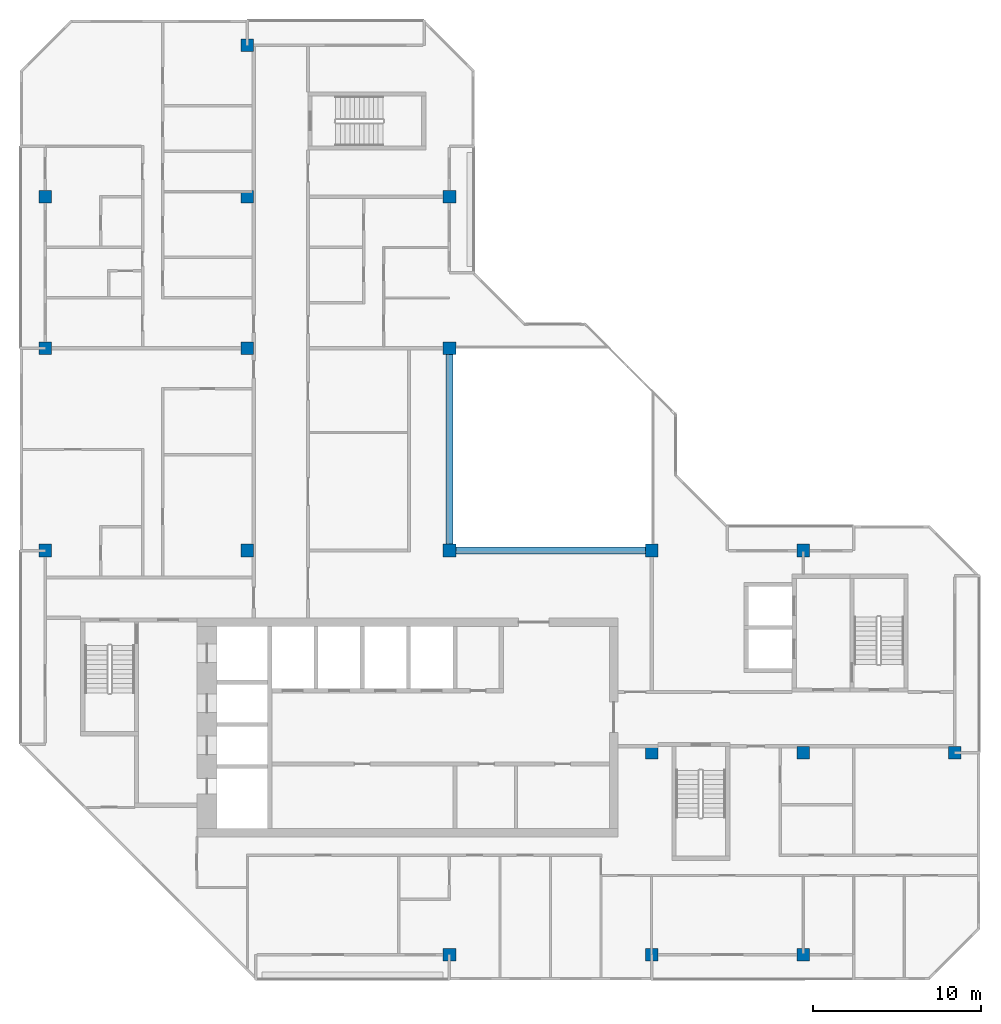
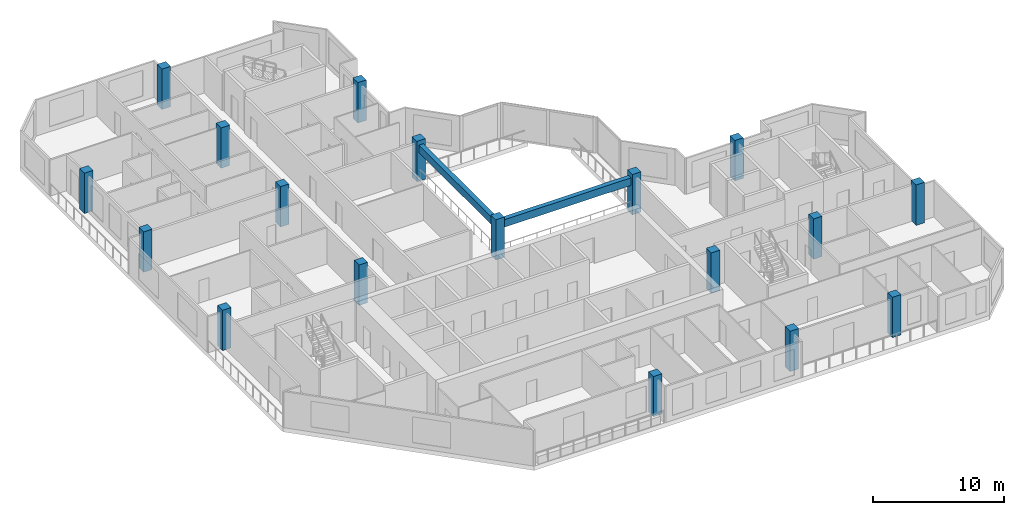
# One storey, part 1 of 12: 18 columns, 2 beams.
"""IFC4 building model written with IfcOpenShell, lengths in metres."""

from ifc_helpers import new_model, si_unit, direction, frame, origin, origin_2d, place, context, subcontext, project, spatial, rectangle, extrude, material, material_profile, profile_set, type_object, element, save


model = new_model("IFC4")

# Units and contexts
model_context = context("Model", 3, precision=1e-05, world=origin(), true_north=direction((0.0, 1.0)))
body_context = subcontext(model_context, "Body", "Model", "MODEL_VIEW")
ifc_project = project(units=[si_unit("LENGTHUNIT", "METRE"), si_unit("AREAUNIT", "SQUARE_METRE"), si_unit("VOLUMEUNIT", "CUBIC_METRE"), si_unit("PLANEANGLEUNIT", "RADIAN"), si_unit("MASSUNIT", "GRAM", prefix="KILO")], contexts=[model_context])

# Site, building, storey
site_placement = place(None, origin())
site = spatial("IfcSite", under=ifc_project, at=site_placement, CompositionType="ELEMENT")
building_placement = place(site_placement, origin())
building = spatial("IfcBuilding", under=site, at=building_placement, Name="Chenar Terraces", CompositionType="ELEMENT")
storey_placement = place(building_placement, frame((0.0, 0.0, 350.14990234375)))
storey = spatial("IfcBuildingStorey", under=building, at=storey_placement, Name="L81", CompositionType="ELEMENT", Elevation=350.14990234375)

# Columns
ifc_material_1 = material(Name="Concrete C50/60", Category="concrete")
ifc_material_profile_1 = material_profile(ifc_material_1, rectangle(XDim=0.75, YDim=0.75, at=origin_2d()), Name="C 750 x 750")
ifc_profile_set_1 = profile_set([ifc_material_profile_1], Name="Concrete C50/60")
column_type = type_object("IfcColumnType", Name="Column C 750 x 750 Concrete C50/60", PredefinedType="COLUMN", material=ifc_profile_set_1)
column_1_placement = place(storey_placement, frame((0.0, 24.0, 0.0), z_axis=(0.0, 0.0, 1.0), x_axis=(1.0, 0.0, 0.0)))
element("IfcColumn", 1, at=column_1_placement, inside=storey, type_object=column_type, Name="Column 5/G L81", PredefinedType="COLUMN", context=body_context, shape_type="SweptSolid", body=[
    extrude(rectangle(XDim=0.75, YDim=0.75, at=origin_2d()), origin(), (0.0, 0.0, 1.0), 3.75),
])
column_2_placement = place(storey_placement, frame((0.0, 36.0, 0.0), z_axis=(0.0, 0.0, 1.0), x_axis=(1.0, 0.0, 0.0)))
element("IfcColumn", 2, at=column_2_placement, inside=storey, type_object=column_type, Name="Column 5/H L81", PredefinedType="COLUMN", context=body_context, shape_type="SweptSolid", body=[
    extrude(rectangle(XDim=0.75, YDim=0.75, at=origin_2d()), origin(), (0.0, 0.0, 1.0), 3.75),
])
for number, where, z_axis, x_axis, name in (
    (3, (0.0, 45.0, 0.0), (0.0, 0.0, 1.0), (1.0, 0.0, 0.0), "Column 5/J L81"),
    (4, (12.0, 24.0, 0.0), (0.0, 0.0, 1.0), (1.0, 0.0, 0.0), "Column 6/G L81"),
    (5, (12.0, 36.0, 0.0), (0.0, 0.0, 1.0), (1.0, 0.0, 0.0), "Column 6/H L81"),
    (6, (12.0, 45.0, 0.0), (0.0, 0.0, 1.0), (1.0, 0.0, 0.0), "Column 6/J L81"),
    (7, (12.0, 54.0, 0.0), (0.0, 0.0, 1.0), (1.0, 0.0, 0.0), "Column 6/K L81"),
    (8, (24.0, 0.0, 0.0), (0.0, 0.0, 1.0), (1.0, 0.0, 0.0), "Column 7/E L81"),
    (9, (24.0, 24.0, 0.0), (0.0, 0.0, 1.0), (1.0, 0.0, 0.0), "Column 7/G L81"),
    (10, (24.0, 36.0, 0.0), (0.0, 0.0, 1.0), (1.0, 0.0, 0.0), "Column 7/H L81"),
    (11, (24.0, 45.0, 0.0), (0.0, 0.0, 1.0), (1.0, 0.0, 0.0), "Column 7/J L81"),
    (12, (36.0, 0.0, 0.0), (0.0, 0.0, 1.0), (1.0, 0.0, 0.0), "Column 8/E L81"),
    (13, (36.0, 12.0, 0.0), (0.0, 0.0, 1.0), (1.0, 0.0, 0.0), "Column 8/F L81"),
    (14, (36.0, 24.0, 0.0), (0.0, 0.0, 1.0), (1.0, 0.0, 0.0), "Column 8/G L81"),
    (15, (45.0, 0.0, 0.0), (0.0, 0.0, 1.0), (1.0, 0.0, 0.0), "Column 9/E L81"),
    (16, (45.0, 12.0, 0.0), (0.0, 0.0, 1.0), (1.0, 0.0, 0.0), "Column 9/F L81"),
    (17, (45.0, 24.0, 0.0), (0.0, 0.0, 1.0), (1.0, 0.0, 0.0), "Column 9/G L81"),
    (18, (54.0, 12.0, 0.0), (0.0, 0.0, 1.0), (1.0, 0.0, 0.0), "Column 10/F L81"),
):
    element("IfcColumn", number, at=place(storey_placement, frame(where, z_axis=z_axis, x_axis=x_axis)), inside=storey, type_object=column_type, Name=name, PredefinedType="COLUMN", context=body_context, shape_type="SweptSolid", body=[
        extrude(rectangle(XDim=0.75, YDim=0.75, at=origin_2d()), origin(), (0.0, 0.0, 1.0), 3.75),
    ])

# Beams
ifc_material_2 = material(Name="Concrete C40/50", Category="concrete")
ifc_material_profile_2 = material_profile(ifc_material_2, rectangle(XDim=0.39990234375, YDim=0.699951171875, at=origin_2d()), Name="RC 400 x 700")
ifc_profile_set_2 = profile_set([ifc_material_profile_2], Name="Concrete C40/50")
beam_type = type_object("IfcBeamType", Name="Atrium edge beam 400 x 700 Concrete C40/50", PredefinedType="BEAM", material=ifc_profile_set_2)
for number, where, z_axis, x_axis, name in (
    (19, (24.375, 24.0, 3.0), (1.0, 0.0, 0.0), (0.0, 1.0, 0.0), "Atrium edge beam L82 1"),
    (20, (24.0, 35.625, 3.0), (0.0, -1.0, 0.0), (1.0, 0.0, 0.0), "Atrium edge beam L82 4"),
):
    element("IfcBeam", number, at=place(storey_placement, frame(where, z_axis=z_axis, x_axis=x_axis)), inside=storey, type_object=beam_type, Name=name, PredefinedType="BEAM", context=body_context, shape_type="SweptSolid", body=[
        extrude(rectangle(XDim=0.39990234375, YDim=0.699951171875, at=origin_2d()), origin(), (0.0, 0.0, 1.0), 11.25),
    ])

save(model, "model.ifc")
